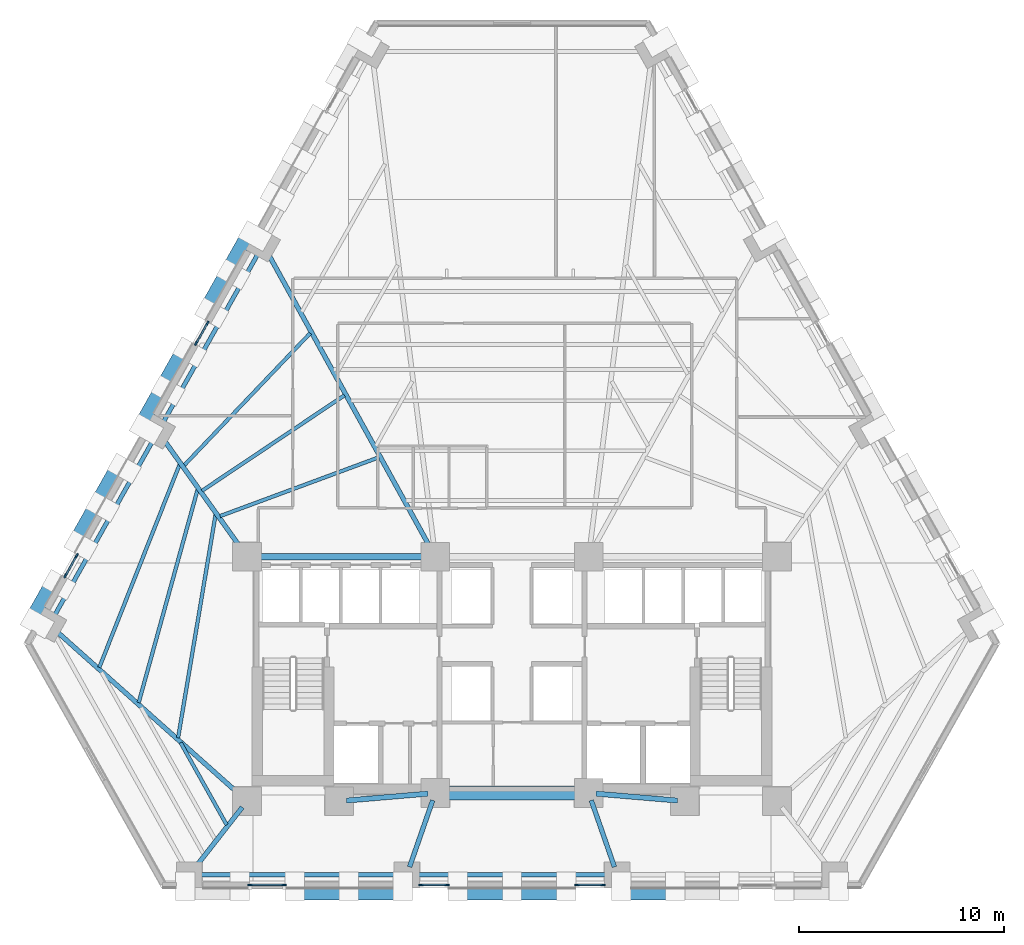
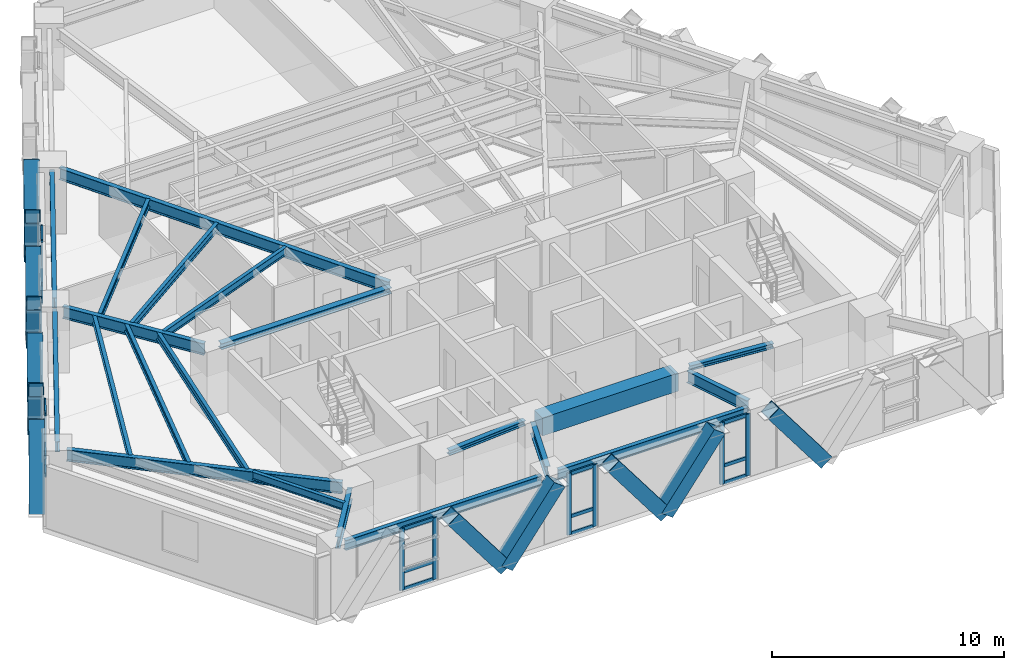
# One storey, part 2 of 13: 37 members, 21 beams, 5 elements without a shape of their own.
"""IFC4 building model written with IfcOpenShell, lengths in metres."""

from ifc_helpers import new_model, si_unit, direction, frame, origin, origin_2d, place, context, subcontext, project, spatial, rectangle, hollow_rectangle, i_section, extrude, material, material_profile, profile_set, type_object, element, aggregate, save


model = new_model("IFC4")

# Units and contexts
model_context = context("Model", 3, precision=1e-05, world=origin(), true_north=direction((0.0, 1.0)))
body_context = subcontext(model_context, "Body", "Model", "MODEL_VIEW")
ifc_project = project(units=[si_unit("LENGTHUNIT", "METRE"), si_unit("AREAUNIT", "SQUARE_METRE"), si_unit("VOLUMEUNIT", "CUBIC_METRE"), si_unit("PLANEANGLEUNIT", "RADIAN"), si_unit("MASSUNIT", "GRAM", prefix="KILO")], contexts=[model_context])

# Site, building, storey
site_placement = place(None, origin())
site = spatial("IfcSite", under=ifc_project, at=site_placement, CompositionType="ELEMENT")
building_placement = place(site_placement, origin())
building = spatial("IfcBuilding", under=site, at=building_placement, Name="Quenlor Broadcast Tower", CompositionType="ELEMENT")
storey_placement = place(building_placement, frame((0.0, 0.0, 59.10009765625)))
storey = spatial("IfcBuildingStorey", under=building, at=storey_placement, Name="L15", CompositionType="ELEMENT", Elevation=59.10009765625)

# Curtain wall, members
ifc_material_1 = material(Name="Architectural Terracotta and Low-E Glazing", Category="masonry")
curtain_wall_type = type_object("IfcCurtainWallType", Name="Unitised Terracotta Curtain Wall System Z1", PredefinedType="NOTDEFINED", material=ifc_material_1)
curtain_wall_1_placement = place(storey_placement, origin())
curtain_wall_1 = element("IfcCurtainWall", 1, at=curtain_wall_1_placement, inside=storey, type_object=curtain_wall_type, Name="L15 Curtain Wall CW1 (L15-SC-G1)", PredefinedType="NOTDEFINED")
ifc_material_2 = material(Name="Aluminium 6063-T6", Category="aluminium")
ifc_material_profile_1 = material_profile(ifc_material_2, rectangle(XDim=0.080078125, YDim=0.219970703125, at=origin_2d()))
ifc_profile_set_1 = profile_set([ifc_material_profile_1], Name="Aluminium 6063-T6 MULL80x220")
member_type_1 = type_object("IfcMemberType", Name="CW1 Aluminium Mullion MULL_CW1", PredefinedType="MULLION", material=ifc_profile_set_1)
member_1_placement = place(storey_placement, frame((-11.146484375, -20.840087890625, 0.0), z_axis=(0.0, 0.0, 1.0), x_axis=(0.0, -1.0, 0.0)))
member_1 = element("IfcMember", 2, at=member_1_placement, type_object=member_type_1, Name="CW1 mullion 1", PredefinedType="MULLION", context=body_context, shape_type="SweptSolid", body=[
    extrude(rectangle(XDim=0.080078125, YDim=0.219970703125, at=origin_2d()), origin(), (0.0, 0.0, 1.0), 3.25),
])
member_2_placement = place(storey_placement, frame((-12.794921875, -20.840087890625, 0.0), z_axis=(0.0, 0.0, 1.0), x_axis=(0.0, -1.0, 0.0)))
member_2 = element("IfcMember", 3, at=member_2_placement, type_object=member_type_1, Name="CW1 mullion 2", PredefinedType="MULLION", context=body_context, shape_type="SweptSolid", body=[
    extrude(rectangle(XDim=0.080078125, YDim=0.219970703125, at=origin_2d()), origin(), (0.0, 0.0, 1.0), 3.25),
])

curtain_wall_2_placement = place(storey_placement, origin())
curtain_wall_2 = element("IfcCurtainWall", 4, at=curtain_wall_2_placement, inside=storey, type_object=curtain_wall_type, Name="L15 Curtain Wall CW1 (L15-S-G1)", PredefinedType="NOTDEFINED")
member_3_placement = place(storey_placement, frame((4.455810546875, -20.840087890625, 0.0), z_axis=(0.0, 0.0, 1.0), x_axis=(0.0, -1.0, 0.0)))
member_3 = element("IfcMember", 5, at=member_3_placement, type_object=member_type_1, Name="CW1 mullion 1", PredefinedType="MULLION", context=body_context, shape_type="SweptSolid", body=[
    extrude(rectangle(XDim=0.080078125, YDim=0.219970703125, at=origin_2d()), origin(), (0.0, 0.0, 1.0), 3.25),
])
member_4_placement = place(storey_placement, frame((3.166015625, -20.840087890625, 0.0), z_axis=(0.0, 0.0, 1.0), x_axis=(0.0, -1.0, 0.0)))
member_4 = element("IfcMember", 6, at=member_4_placement, type_object=member_type_1, Name="CW1 mullion 2", PredefinedType="MULLION", context=body_context, shape_type="SweptSolid", body=[
    extrude(rectangle(XDim=0.080078125, YDim=0.219970703125, at=origin_2d()), origin(), (0.0, 0.0, 1.0), 3.25),
])

curtain_wall_3_placement = place(storey_placement, origin())
curtain_wall_3 = element("IfcCurtainWall", 7, at=curtain_wall_3_placement, inside=storey, type_object=curtain_wall_type, Name="L15 Curtain Wall CW1 (L15-S-G2)", PredefinedType="NOTDEFINED")
member_5_placement = place(storey_placement, frame((-3.166015625, -20.840087890625, 0.0), z_axis=(0.0, 0.0, 1.0), x_axis=(0.0, -1.0, 0.0)))
member_5 = element("IfcMember", 8, at=member_5_placement, type_object=member_type_1, Name="CW1 mullion 1", PredefinedType="MULLION", context=body_context, shape_type="SweptSolid", body=[
    extrude(rectangle(XDim=0.080078125, YDim=0.219970703125, at=origin_2d()), origin(), (0.0, 0.0, 1.0), 3.25),
])
member_6_placement = place(storey_placement, frame((-4.455810546875, -20.840087890625, 0.0), z_axis=(0.0, 0.0, 1.0), x_axis=(0.0, -1.0, 0.0)))
member_6 = element("IfcMember", 9, at=member_6_placement, type_object=member_type_1, Name="CW1 mullion 2", PredefinedType="MULLION", context=body_context, shape_type="SweptSolid", body=[
    extrude(rectangle(XDim=0.080078125, YDim=0.219970703125, at=origin_2d()), origin(), (0.0, 0.0, 1.0), 3.25),
])

curtain_wall_4_placement = place(storey_placement, origin())
curtain_wall_4 = element("IfcCurtainWall", 10, at=curtain_wall_4_placement, inside=storey, type_object=curtain_wall_type, Name="L15 Curtain Wall CW1 (L15-NWA-G1)", PredefinedType="NOTDEFINED")
member_7_placement = place(storey_placement, frame((-21.830810546875, -5.73681640625, 0.0), z_axis=(0.0, 0.0, 1.0), x_axis=(-0.871566703483, 0.490276943553, 0.0)))
member_7 = element("IfcMember", 11, at=member_7_placement, type_object=member_type_1, Name="CW1 mullion 1", PredefinedType="MULLION", context=body_context, shape_type="SweptSolid", body=[
    extrude(rectangle(XDim=0.080078125, YDim=0.219970703125, at=origin_2d()), origin(), (0.0, 0.0, 1.0), 3.25),
])
member_8_placement = place(storey_placement, frame((-21.277099609375, -4.75244140625, 0.0), z_axis=(0.0, 0.0, 1.0), x_axis=(-0.871566703483, 0.490276943553, 0.0)))
member_8 = element("IfcMember", 12, at=member_8_placement, type_object=member_type_1, Name="CW1 mullion 2", PredefinedType="MULLION", context=body_context, shape_type="SweptSolid", body=[
    extrude(rectangle(XDim=0.080078125, YDim=0.219970703125, at=origin_2d()), origin(), (0.0, 0.0, 1.0), 3.25),
])

curtain_wall_5_placement = place(storey_placement, origin())
curtain_wall_5 = element("IfcCurtainWall", 13, at=curtain_wall_5_placement, inside=storey, type_object=curtain_wall_type, Name="L15 Curtain Wall CW1 (L15-NW-G1)", PredefinedType="NOTDEFINED")
member_9_placement = place(storey_placement, frame((-15.4375, 5.62939453125, 0.0), z_axis=(0.0, 0.0, 1.0), x_axis=(-0.871566703483, 0.490276943553, 0.0)))
member_9 = element("IfcMember", 14, at=member_9_placement, type_object=member_type_1, Name="CW1 mullion 1", PredefinedType="MULLION", context=body_context, shape_type="SweptSolid", body=[
    extrude(rectangle(XDim=0.080078125, YDim=0.219970703125, at=origin_2d()), origin(), (0.0, 0.0, 1.0), 3.25),
])
member_10_placement = place(storey_placement, frame((-14.8837890625, 6.61376953125, 0.0), z_axis=(0.0, 0.0, 1.0), x_axis=(-0.871566703483, 0.490276943553, 0.0)))
member_10 = element("IfcMember", 15, at=member_10_placement, type_object=member_type_1, Name="CW1 mullion 2", PredefinedType="MULLION", context=body_context, shape_type="SweptSolid", body=[
    extrude(rectangle(XDim=0.080078125, YDim=0.219970703125, at=origin_2d()), origin(), (0.0, 0.0, 1.0), 3.25),
])

# Member
ifc_material_3 = material(Name="Aluminium 6063-T6", Category="aluminium")
ifc_material_profile_2 = material_profile(ifc_material_3, rectangle(XDim=0.080078125, YDim=0.179931640625, at=origin_2d()))
ifc_profile_set_2 = profile_set([ifc_material_profile_2], Name="Aluminium 6063-T6 TRAN80x180")
member_type_2 = type_object("IfcMemberType", Name="CW1 Aluminium Transom TRAN_CW1", PredefinedType="USERDEFINED", material=ifc_profile_set_2)
member_11_placement = place(storey_placement, frame((-11.1865234375, -20.840087890625, 0.039794921875), z_axis=(-1.0, 0.0, 0.0), x_axis=(0.0, -1.0, 0.0)))
member_11 = element("IfcMember", 16, at=member_11_placement, type_object=member_type_2, Name="CW1 transom 1.1", ObjectType="TRANSOM", PredefinedType="USERDEFINED", context=body_context, shape_type="SweptSolid", body=[
    extrude(rectangle(XDim=0.080078125, YDim=0.179931640625, at=origin_2d()), origin(), (0.0, 0.0, 1.0), 1.568359375),
])

member_12_placement = place(storey_placement, frame((-11.1865234375, -20.840087890625, 0.949951171875), z_axis=(-1.0, 0.0, 0.0), x_axis=(0.0, -1.0, 0.0)))
member_12 = element("IfcMember", 17, at=member_12_placement, type_object=member_type_2, Name="CW1 transom 1.2", ObjectType="TRANSOM", PredefinedType="USERDEFINED", context=body_context, shape_type="SweptSolid", body=[
    extrude(rectangle(XDim=0.080078125, YDim=0.179931640625, at=origin_2d()), origin(), (0.0, 0.0, 1.0), 1.568359375),
])

member_13_placement = place(storey_placement, frame((-11.1865234375, -20.840087890625, 3.2099609375), z_axis=(-1.0, 0.0, 0.0), x_axis=(0.0, -1.0, 0.0)))
member_13 = element("IfcMember", 18, at=member_13_placement, type_object=member_type_2, Name="CW1 transom 1.3", ObjectType="TRANSOM", PredefinedType="USERDEFINED", context=body_context, shape_type="SweptSolid", body=[
    extrude(rectangle(XDim=0.080078125, YDim=0.179931640625, at=origin_2d()), origin(), (0.0, 0.0, 1.0), 1.568359375),
])

aggregate(curtain_wall_1, [member_1, member_2, member_11, member_12, member_13])

member_14_placement = place(storey_placement, frame((4.415771484375, -20.840087890625, 0.039794921875), z_axis=(-1.0, 0.0, 0.0), x_axis=(0.0, -1.0, 0.0)))
member_14 = element("IfcMember", 19, at=member_14_placement, type_object=member_type_2, Name="CW1 transom 1.1", ObjectType="TRANSOM", PredefinedType="USERDEFINED", context=body_context, shape_type="SweptSolid", body=[
    extrude(rectangle(XDim=0.080078125, YDim=0.179931640625, at=origin_2d()), origin(), (0.0, 0.0, 1.0), 1.209716796875),
])

member_15_placement = place(storey_placement, frame((4.415771484375, -20.840087890625, 0.949951171875), z_axis=(-1.0, 0.0, 0.0), x_axis=(0.0, -1.0, 0.0)))
member_15 = element("IfcMember", 20, at=member_15_placement, type_object=member_type_2, Name="CW1 transom 1.2", ObjectType="TRANSOM", PredefinedType="USERDEFINED", context=body_context, shape_type="SweptSolid", body=[
    extrude(rectangle(XDim=0.080078125, YDim=0.179931640625, at=origin_2d()), origin(), (0.0, 0.0, 1.0), 1.209716796875),
])

member_16_placement = place(storey_placement, frame((4.415771484375, -20.840087890625, 3.2099609375), z_axis=(-1.0, 0.0, 0.0), x_axis=(0.0, -1.0, 0.0)))
member_16 = element("IfcMember", 21, at=member_16_placement, type_object=member_type_2, Name="CW1 transom 1.3", ObjectType="TRANSOM", PredefinedType="USERDEFINED", context=body_context, shape_type="SweptSolid", body=[
    extrude(rectangle(XDim=0.080078125, YDim=0.179931640625, at=origin_2d()), origin(), (0.0, 0.0, 1.0), 1.209716796875),
])

aggregate(curtain_wall_2, [member_3, member_4, member_14, member_15, member_16])

member_17_placement = place(storey_placement, frame((-3.2060546875, -20.840087890625, 0.039794921875), z_axis=(-1.0, 0.0, 0.0), x_axis=(0.0, -1.0, 0.0)))
member_17 = element("IfcMember", 22, at=member_17_placement, type_object=member_type_2, Name="CW1 transom 1.1", ObjectType="TRANSOM", PredefinedType="USERDEFINED", context=body_context, shape_type="SweptSolid", body=[
    extrude(rectangle(XDim=0.080078125, YDim=0.179931640625, at=origin_2d()), origin(), (0.0, 0.0, 1.0), 1.209716796875),
])

member_18_placement = place(storey_placement, frame((-3.2060546875, -20.840087890625, 0.949951171875), z_axis=(-1.0, 0.0, 0.0), x_axis=(0.0, -1.0, 0.0)))
member_18 = element("IfcMember", 23, at=member_18_placement, type_object=member_type_2, Name="CW1 transom 1.2", ObjectType="TRANSOM", PredefinedType="USERDEFINED", context=body_context, shape_type="SweptSolid", body=[
    extrude(rectangle(XDim=0.080078125, YDim=0.179931640625, at=origin_2d()), origin(), (0.0, 0.0, 1.0), 1.209716796875),
])

member_19_placement = place(storey_placement, frame((-3.2060546875, -20.840087890625, 3.2099609375), z_axis=(-1.0, 0.0, 0.0), x_axis=(0.0, -1.0, 0.0)))
member_19 = element("IfcMember", 24, at=member_19_placement, type_object=member_type_2, Name="CW1 transom 1.3", ObjectType="TRANSOM", PredefinedType="USERDEFINED", context=body_context, shape_type="SweptSolid", body=[
    extrude(rectangle(XDim=0.080078125, YDim=0.179931640625, at=origin_2d()), origin(), (0.0, 0.0, 1.0), 1.209716796875),
])

aggregate(curtain_wall_3, [member_5, member_6, member_17, member_18, member_19])

member_20_placement = place(storey_placement, frame((-21.811279296875, -5.701904296875, 0.039794921875), z_axis=(0.490239146026, 0.87158796441, 0.0), x_axis=(-0.87158796441, 0.490239146026, 0.0)))
member_20 = element("IfcMember", 25, at=member_20_placement, type_object=member_type_2, Name="CW1 transom 1.1", ObjectType="TRANSOM", PredefinedType="USERDEFINED", context=body_context, shape_type="SweptSolid", body=[
    extrude(rectangle(XDim=0.080078125, YDim=0.179931640625, at=origin_2d()), origin(), (0.0, 0.0, 1.0), 1.04931640625),
])

member_21_placement = place(storey_placement, frame((-21.811279296875, -5.701904296875, 0.949951171875), z_axis=(0.490239146026, 0.87158796441, 0.0), x_axis=(-0.87158796441, 0.490239146026, 0.0)))
member_21 = element("IfcMember", 26, at=member_21_placement, type_object=member_type_2, Name="CW1 transom 1.2", ObjectType="TRANSOM", PredefinedType="USERDEFINED", context=body_context, shape_type="SweptSolid", body=[
    extrude(rectangle(XDim=0.080078125, YDim=0.179931640625, at=origin_2d()), origin(), (0.0, 0.0, 1.0), 1.04931640625),
])

member_22_placement = place(storey_placement, frame((-21.811279296875, -5.701904296875, 3.2099609375), z_axis=(0.490239146026, 0.87158796441, 0.0), x_axis=(-0.87158796441, 0.490239146026, 0.0)))
member_22 = element("IfcMember", 27, at=member_22_placement, type_object=member_type_2, Name="CW1 transom 1.3", ObjectType="TRANSOM", PredefinedType="USERDEFINED", context=body_context, shape_type="SweptSolid", body=[
    extrude(rectangle(XDim=0.080078125, YDim=0.179931640625, at=origin_2d()), origin(), (0.0, 0.0, 1.0), 1.04931640625),
])

aggregate(curtain_wall_4, [member_7, member_8, member_20, member_21, member_22])

member_23_placement = place(storey_placement, frame((-15.417724609375, 5.664306640625, 0.039794921875), z_axis=(0.490239146026, 0.87158796441, 0.0), x_axis=(-0.87158796441, 0.490239146026, 0.0)))
member_23 = element("IfcMember", 28, at=member_23_placement, type_object=member_type_2, Name="CW1 transom 1.1", ObjectType="TRANSOM", PredefinedType="USERDEFINED", context=body_context, shape_type="SweptSolid", body=[
    extrude(rectangle(XDim=0.080078125, YDim=0.179931640625, at=origin_2d()), origin(), (0.0, 0.0, 1.0), 1.04931640625),
])

member_24_placement = place(storey_placement, frame((-15.417724609375, 5.664306640625, 0.949951171875), z_axis=(0.490239146026, 0.87158796441, 0.0), x_axis=(-0.87158796441, 0.490239146026, 0.0)))
member_24 = element("IfcMember", 29, at=member_24_placement, type_object=member_type_2, Name="CW1 transom 1.2", ObjectType="TRANSOM", PredefinedType="USERDEFINED", context=body_context, shape_type="SweptSolid", body=[
    extrude(rectangle(XDim=0.080078125, YDim=0.179931640625, at=origin_2d()), origin(), (0.0, 0.0, 1.0), 1.04931640625),
])

member_25_placement = place(storey_placement, frame((-15.417724609375, 5.664306640625, 3.2099609375), z_axis=(0.490239146026, 0.87158796441, 0.0), x_axis=(-0.87158796441, 0.490239146026, 0.0)))
member_25 = element("IfcMember", 30, at=member_25_placement, type_object=member_type_2, Name="CW1 transom 1.3", ObjectType="TRANSOM", PredefinedType="USERDEFINED", context=body_context, shape_type="SweptSolid", body=[
    extrude(rectangle(XDim=0.080078125, YDim=0.179931640625, at=origin_2d()), origin(), (0.0, 0.0, 1.0), 1.04931640625),
])

aggregate(curtain_wall_5, [member_9, member_10, member_23, member_24, member_25])

# Beams
ifc_material_4 = material(Name="Concrete C50/60", Category="concrete")
ifc_material_profile_3 = material_profile(ifc_material_4, rectangle(XDim=0.699951171875, YDim=0.949951171875, at=origin_2d()))
ifc_profile_set_3 = profile_set([ifc_material_profile_3], Name="Concrete C50/60 RCB700x950")
beam_type_1 = type_object("IfcBeamType", Name="Core Coupling Beam Concrete C50/60 700x950", PredefinedType="BEAM", material=ifc_profile_set_3)
beam_1_placement = place(storey_placement, frame((-3.389892578125, -16.35009765625, 2.77490234375), z_axis=(1.0, 0.0, 0.0), x_axis=(0.0, 1.0, 0.0)))
element("IfcBeam", 31, at=beam_1_placement, inside=storey, type_object=beam_type_1, Name="L15 Core Coupling Beam 6", PredefinedType="BEAM", context=body_context, shape_type="SweptSolid", body=[
    extrude(rectangle(XDim=0.699951171875, YDim=0.949951171875, at=origin_2d()), origin(), (0.0, 0.0, 1.0), 6.77978515625),
])
ifc_material_5 = material(Name="Steel S355", Category="steel")
ifc_material_profile_4 = material_profile(ifc_material_5, i_section(OverallWidth=0.25390625, OverallDepth=0.25390625, WebThickness=0.008544921875, FlangeThickness=0.01416015625, FilletRadius=0.013916015625, at=origin_2d()))
ifc_profile_set_4 = profile_set([ifc_material_profile_4], Name="Steel S355 250UC72.9")
beam_type_2 = type_object("IfcBeamType", Name="Core Opening Lintel Beam Steel S355 250UC72.9", PredefinedType="LINTEL", material=ifc_profile_set_4)
for number, where, z_axis, x_axis, name in (
    (32, (-8.09130859375, -16.719482421875, 3.123046875), (0.996399763903, 0.084779186679, 0.0), (-0.084779186679, 0.996399763903, 0.0), "L15 Core Opening Lintel Beam 4"),
    (33, (4.108642578125, -16.380615234375, 3.123046875), (0.996399763903, -0.084779186679, 0.0), (0.084779186679, 0.996399763903, 0.0), "L15 Core Opening Lintel Beam 5"),
):
    element("IfcBeam", number, at=place(storey_placement, frame(where, z_axis=z_axis, x_axis=x_axis)), inside=storey, type_object=beam_type_2, Name=name, PredefinedType="LINTEL", context=body_context, shape_type="SweptSolid", body=[
        extrude(i_section(OverallWidth=0.25390625, OverallDepth=0.25390625, WebThickness=0.008544921875, FlangeThickness=0.01416015625, FilletRadius=0.013916015625, at=origin_2d()), origin(), (0.0, 0.0, 1.0), 3.9970703125),
    ])
ifc_material_6 = material(Name="Steel S355", Category="steel")
ifc_material_profile_5 = material_profile(ifc_material_6, i_section(OverallWidth=0.306884765625, OverallDepth=0.314697265625, WebThickness=0.011962890625, FlangeThickness=0.018798828125, FilletRadius=0.0166015625, at=origin_2d()))
ifc_profile_set_5 = profile_set([ifc_material_profile_5], Name="Steel S355 310UC118")
beam_type_3 = type_object("IfcBeamType", Name="Core Tie Beam Steel S355 310UC118", PredefinedType="BEAM", material=ifc_profile_set_5)
beam_2_placement = place(storey_placement, frame((-12.590087890625, -4.800048828125, 3.092529296875), z_axis=(1.0, 0.0, 0.0), x_axis=(0.0, 1.0, 0.0)))
element("IfcBeam", 34, at=beam_2_placement, inside=storey, type_object=beam_type_3, Name="L15 Core Tie Beam 1", PredefinedType="BEAM", context=body_context, shape_type="SweptSolid", body=[
    extrude(i_section(OverallWidth=0.306884765625, OverallDepth=0.314697265625, WebThickness=0.011962890625, FlangeThickness=0.018798828125, FilletRadius=0.0166015625, at=origin_2d()), origin(), (0.0, 0.0, 1.0), 8.47998046875),
])

# Members
ifc_material_7 = material(Name="Steel S355", Category="steel")
ifc_material_profile_6 = material_profile(ifc_material_7, hollow_rectangle(XDim=0.679931640625, YDim=0.679931640625, WallThickness=0.034912109375, at=origin_2d()))
ifc_profile_set_6 = profile_set([ifc_material_profile_6], Name="Steel S355 RHS680x680x35")
member_type_3 = type_object("IfcMemberType", Name="Perimeter Diagonal Lattice Brace Z1 Steel S355 RHS680x35", PredefinedType="BRACE", material=ifc_profile_set_6)
for number, where, z_axis, x_axis, name in (
    (35, (7.964599609375, -21.235107421875, -0.1201171875), (-0.60049964856, 0.0, 0.799625019668), (0.0, -1.0, 0.0), "L15 Perimeter Diamond Lattice S-C2S"),
    (36, (0.01611328125, -21.235107421875, -0.1201171875), (0.600463982679, 0.0, 0.799651802665), (0.0, 1.0, 0.0), "L15 Perimeter Diamond Lattice S-C2B"),
    (37, (-0.01611328125, -21.235107421875, -0.1201171875), (-0.600463982679, 0.0, 0.799651802665), (0.0, -1.0, 0.0), "L15 Perimeter Diamond Lattice S-C3S"),
    (38, (-7.964599609375, -21.235107421875, -0.1201171875), (0.60049964856, 0.0, 0.799625019668), (0.0, 1.0, 0.0), "L15 Perimeter Diamond Lattice S-C3B"),
    (39, (-7.99658203125, -21.235107421875, -0.1201171875), (-0.600463982679, 0.0, 0.799651802665), (0.0, -1.0, 0.0), "L15 Perimeter Diamond Lattice S-C4S"),
):
    element("IfcMember", number, at=place(storey_placement, frame(where, z_axis=z_axis, x_axis=x_axis)), inside=storey, type_object=member_type_3, Name=name, PredefinedType="BRACE", context=body_context, shape_type="SweptSolid", body=[
        extrude(hollow_rectangle(XDim=0.679931640625, YDim=0.679931640625, WallThickness=0.034912109375, at=origin_2d()), origin(), (0.0, 0.0, 1.0), 4.376953125),
    ])
member_26_placement = place(storey_placement, frame((-23.490234375, -7.88134765625, -0.1201171875), z_axis=(0.256368393635, 0.455838699906, 0.852341672343), x_axis=(-0.871608931644, 0.490201866865, 0.0)))
element("IfcMember", 40, at=member_26_placement, inside=storey, type_object=member_type_3, Name="L15 Perimeter Diamond Lattice NW-C1S", PredefinedType="BRACE", context=body_context, shape_type="SweptSolid", body=[
    extrude(hollow_rectangle(XDim=0.679931640625, YDim=0.679931640625, WallThickness=0.034912109375, at=origin_2d()), origin(), (0.0, 0.0, 1.0), 4.1064453125),
])
for number, where, z_axis, x_axis, name in (
    (41, (-20.306396484375, -2.220947265625, -0.1201171875), (-0.256375341489, -0.45579159737, 0.852364771705), (0.871581609758, -0.490250443683, 0.0), "L15 Perimeter Diamond Lattice NW-C1B"),
    (42, (-20.29345703125, -2.197998046875, -0.1201171875), (0.256375341489, 0.45579159737, 0.852364771705), (-0.871581609758, 0.490250443683, 0.0), "L15 Perimeter Diamond Lattice NW-C2S"),
    (43, (-17.109619140625, 3.46240234375, -0.1201171875), (-0.256375341489, -0.45579159737, 0.852364771705), (0.871581609758, -0.490250443683, 0.0), "L15 Perimeter Diamond Lattice NW-C2B"),
    (44, (-17.0966796875, 3.485107421875, -0.1201171875), (0.256375341489, 0.45579159737, 0.852364771705), (-0.871581609758, 0.490250443683, 0.0), "L15 Perimeter Diamond Lattice NW-C3S"),
):
    element("IfcMember", number, at=place(storey_placement, frame(where, z_axis=z_axis, x_axis=x_axis)), inside=storey, type_object=member_type_3, Name=name, PredefinedType="BRACE", context=body_context, shape_type="SweptSolid", body=[
        extrude(hollow_rectangle(XDim=0.679931640625, YDim=0.679931640625, WallThickness=0.034912109375, at=origin_2d()), origin(), (0.0, 0.0, 1.0), 4.106201171875),
    ])
member_27_placement = place(storey_placement, frame((-13.912841796875, 9.1455078125, -0.1201171875), z_axis=(-0.256368393635, -0.455838699906, 0.852341672343), x_axis=(0.871608931644, -0.490201866865, 0.0)))
element("IfcMember", 45, at=member_27_placement, inside=storey, type_object=member_type_3, Name="L15 Perimeter Diamond Lattice NW-C3B", PredefinedType="BRACE", context=body_context, shape_type="SweptSolid", body=[
    extrude(hollow_rectangle(XDim=0.679931640625, YDim=0.679931640625, WallThickness=0.034912109375, at=origin_2d()), origin(), (0.0, 0.0, 1.0), 4.1064453125),
])
member_28_placement = place(storey_placement, frame((-13.89990234375, 9.168212890625, -0.1201171875), z_axis=(0.256375341489, 0.45579159737, 0.852364771705), x_axis=(-0.871581609758, 0.490250443683, 0.0)))
element("IfcMember", 46, at=member_28_placement, inside=storey, type_object=member_type_3, Name="L15 Perimeter Diamond Lattice NW-C4S", PredefinedType="BRACE", context=body_context, shape_type="SweptSolid", body=[
    extrude(hollow_rectangle(XDim=0.679931640625, YDim=0.679931640625, WallThickness=0.034912109375, at=origin_2d()), origin(), (0.0, 0.0, 1.0), 4.106201171875),
])

# Beams
ifc_material_8 = material(Name="Steel S355", Category="steel")
ifc_material_profile_7 = material_profile(ifc_material_8, i_section(OverallWidth=0.208984375, OverallDepth=0.532958984375, WebThickness=0.01025390625, FlangeThickness=0.015625, FilletRadius=0.013916015625, at=origin_2d()))
ifc_profile_set_7 = profile_set([ifc_material_profile_7], Name="Steel S355 530UB92.4")
beam_type_4 = type_object("IfcBeamType", Name="Perimeter Spandrel Beam Z1 Steel S355 530UB92.4", PredefinedType="SPANDREL", material=ifc_profile_set_7)
beam_3_placement = place(storey_placement, frame((-15.35498046875, -20.35009765625, 2.9833984375), z_axis=(1.0, 0.0, 0.0), x_axis=(0.0, 1.0, 0.0)))
element("IfcBeam", 47, at=beam_3_placement, inside=storey, type_object=beam_type_4, Name="L15 Spandrel Beam S1-S2", PredefinedType="SPANDREL", context=body_context, shape_type="SweptSolid", body=[
    extrude(i_section(OverallWidth=0.208984375, OverallDepth=0.532958984375, WebThickness=0.01025390625, FlangeThickness=0.015625, FilletRadius=0.013916015625, at=origin_2d()), origin(), (0.0, 0.0, 1.0), 9.80419921875),
])
beam_4_placement = place(storey_placement, frame((-4.730712890625, -20.35009765625, 2.9833984375), z_axis=(1.0, 0.0, 0.0), x_axis=(0.0, 1.0, 0.0)))
element("IfcBeam", 48, at=beam_4_placement, inside=storey, type_object=beam_type_4, Name="L15 Spandrel Beam S2-S3", PredefinedType="SPANDREL", context=body_context, shape_type="SweptSolid", body=[
    extrude(i_section(OverallWidth=0.208984375, OverallDepth=0.532958984375, WebThickness=0.01025390625, FlangeThickness=0.015625, FilletRadius=0.013916015625, at=origin_2d()), origin(), (0.0, 0.0, 1.0), 9.46142578125),
])
beam_5_placement = place(storey_placement, frame((-12.364013671875, 10.093505859375, 2.9833984375), z_axis=(-0.490257642051, -0.871577560755, 0.0), x_axis=(0.871577560755, -0.490257642051, 0.0)))
element("IfcBeam", 49, at=beam_5_placement, inside=storey, type_object=beam_type_4, Name="L15 Spandrel Beam NW2-NW3", PredefinedType="SPANDREL", context=body_context, shape_type="SweptSolid", body=[
    extrude(i_section(OverallWidth=0.208984375, OverallDepth=0.532958984375, WebThickness=0.01025390625, FlangeThickness=0.015625, FilletRadius=0.013916015625, at=origin_2d()), origin(), (0.0, 0.0, 1.0), 9.665771484375),
])
beam_6_placement = place(storey_placement, frame((-17.5048828125, 0.954345703125, 2.9833984375), z_axis=(-0.490257767622, -0.871577490121, 0.0), x_axis=(0.871577490121, -0.490257767622, 0.0)))
element("IfcBeam", 50, at=beam_6_placement, inside=storey, type_object=beam_type_4, Name="L15 Spandrel Beam NW3-NW4", PredefinedType="SPANDREL", context=body_context, shape_type="SweptSolid", body=[
    extrude(i_section(OverallWidth=0.208984375, OverallDepth=0.532958984375, WebThickness=0.01025390625, FlangeThickness=0.015625, FilletRadius=0.013916015625, at=origin_2d()), origin(), (0.0, 0.0, 1.0), 10.015380859375),
])
ifc_material_9 = material(Name="Steel S355", Category="steel")
ifc_material_profile_8 = material_profile(ifc_material_9, i_section(OverallWidth=0.177978515625, OverallDepth=0.406494140625, WebThickness=0.0078125, FlangeThickness=0.0126953125, FilletRadius=0.011474609375, at=origin_2d()))
ifc_profile_set_8 = profile_set([ifc_material_profile_8], Name="Steel S355 410UB59.7")
beam_type_5 = type_object("IfcBeamType", Name="Tower Composite Joist Z1 Steel S355 410UB59.7", PredefinedType="JOIST", material=ifc_profile_set_8)
beam_7_placement = place(storey_placement, frame((-14.268310546875, -2.81640625, 3.046630859375), z_axis=(0.937824633945, 0.347109429383, 0.0), x_axis=(-0.347109429383, 0.937824633945, 0.0)))
element("IfcBeam", 51, at=beam_7_placement, inside=storey, type_object=beam_type_5, Name="L15 Secondary Composite Joist 7", PredefinedType="JOIST", context=body_context, shape_type="SweptSolid", body=[
    extrude(i_section(OverallWidth=0.177978515625, OverallDepth=0.406494140625, WebThickness=0.0078125, FlangeThickness=0.0126953125, FilletRadius=0.011474609375, at=origin_2d()), origin(), (0.0, 0.0, 1.0), 8.26513671875),
])
beam_8_placement = place(storey_placement, frame((-15.147705078125, -1.577392578125, 3.046630859375), z_axis=(0.830625844363, 0.556830949819, 0.0), x_axis=(-0.556830949819, 0.830625844363, 0.0)))
element("IfcBeam", 52, at=beam_8_placement, inside=storey, type_object=beam_type_5, Name="L15 Secondary Composite Joist 8", PredefinedType="JOIST", context=body_context, shape_type="SweptSolid", body=[
    extrude(i_section(OverallWidth=0.177978515625, OverallDepth=0.406494140625, WebThickness=0.0078125, FlangeThickness=0.0126953125, FilletRadius=0.011474609375, at=origin_2d()), origin(), (0.0, 0.0, 1.0), 8.374755859375),
])
beam_9_placement = place(storey_placement, frame((-16.029541015625, -0.341796875, 3.046630859375), z_axis=(0.690241086162, 0.723579465556, 0.0), x_axis=(-0.723579465556, 0.690241086162, 0.0)))
element("IfcBeam", 53, at=beam_9_placement, inside=storey, type_object=beam_type_5, Name="L15 Secondary Composite Joist 9", PredefinedType="JOIST", context=body_context, shape_type="SweptSolid", body=[
    extrude(i_section(OverallWidth=0.177978515625, OverallDepth=0.406494140625, WebThickness=0.0078125, FlangeThickness=0.0126953125, FilletRadius=0.011474609375, at=origin_2d()), origin(), (0.0, 0.0, 1.0), 8.93408203125),
])
beam_10_placement = place(storey_placement, frame((-16.31982421875, -13.65478515625, 3.046630859375), z_axis=(0.16559360599, 0.986194077074, 0.0), x_axis=(-0.986194077074, 0.16559360599, 0.0)))
element("IfcBeam", 54, at=beam_10_placement, inside=storey, type_object=beam_type_5, Name="L15 Secondary Composite Joist 13", PredefinedType="JOIST", context=body_context, shape_type="SweptSolid", body=[
    extrude(i_section(OverallWidth=0.177978515625, OverallDepth=0.406494140625, WebThickness=0.0078125, FlangeThickness=0.0126953125, FilletRadius=0.011474609375, at=origin_2d()), origin(), (0.0, 0.0, 1.0), 11.06787109375),
])
beam_11_placement = place(storey_placement, frame((-18.2451171875, -11.93310546875, 3.046630859375), z_axis=(0.266390054368, 0.963865311615, 0.0), x_axis=(-0.963865311615, 0.266390054368, 0.0)))
element("IfcBeam", 55, at=beam_11_placement, inside=storey, type_object=beam_type_5, Name="L15 Secondary Composite Joist 14", PredefinedType="JOIST", context=body_context, shape_type="SweptSolid", body=[
    extrude(i_section(OverallWidth=0.177978515625, OverallDepth=0.406494140625, WebThickness=0.0078125, FlangeThickness=0.0126953125, FilletRadius=0.011474609375, at=origin_2d()), origin(), (0.0, 0.0, 1.0), 10.80810546875),
])
beam_12_placement = place(storey_placement, frame((-20.170166015625, -10.212158203125, 3.046630859375), z_axis=(0.367884833597, 0.929871361646, 0.0), x_axis=(-0.929871361646, 0.367884833597, 0.0)))
element("IfcBeam", 56, at=beam_12_placement, inside=storey, type_object=beam_type_5, Name="L15 Secondary Composite Joist 15", PredefinedType="JOIST", context=body_context, shape_type="SweptSolid", body=[
    extrude(i_section(OverallWidth=0.177978515625, OverallDepth=0.406494140625, WebThickness=0.0078125, FlangeThickness=0.0126953125, FilletRadius=0.011474609375, at=origin_2d()), origin(), (0.0, 0.0, 1.0), 10.669921875),
])
beam_13_placement = place(storey_placement, frame((-13.9462890625, -17.904296875, 3.046630859375), z_axis=(-0.489062021968, 0.872249011848, 0.0), x_axis=(-0.872249011848, -0.489062021968, 0.0)))
element("IfcBeam", 57, at=beam_13_placement, inside=storey, type_object=beam_type_5, Name="L15 Secondary Composite Joist 19", PredefinedType="JOIST", context=body_context, shape_type="SweptSolid", body=[
    extrude(i_section(OverallWidth=0.177978515625, OverallDepth=0.406494140625, WebThickness=0.0078125, FlangeThickness=0.0126953125, FilletRadius=0.011474609375, at=origin_2d()), origin(), (0.0, 0.0, 1.0), 4.6025390625),
])
ifc_material_10 = material(Name="Steel S355", Category="steel")
ifc_material_profile_9 = material_profile(ifc_material_10, i_section(OverallWidth=0.22900390625, OverallDepth=0.611572265625, WebThickness=0.011962890625, FlangeThickness=0.01953125, FilletRadius=0.013916015625, at=origin_2d()))
ifc_profile_set_9 = profile_set([ifc_material_profile_9], Name="Steel S355 610UB125")
beam_type_6 = type_object("IfcBeamType", Name="Tower Primary Floor Beam Z1 Steel S355 610UB125", PredefinedType="BEAM", material=ifc_profile_set_9)
beam_14_placement = place(storey_placement, frame((-15.512451171875, -20.027099609375, 2.944091796875), z_axis=(0.615968610193, 0.78777069713, 0.0), x_axis=(-0.78777069713, 0.615968610193, 0.0)))
element("IfcBeam", 58, at=beam_14_placement, inside=storey, type_object=beam_type_6, Name="L15 Primary Radial Beam S1", PredefinedType="BEAM", context=body_context, shape_type="SweptSolid", body=[
    extrude(i_section(OverallWidth=0.22900390625, OverallDepth=0.611572265625, WebThickness=0.011962890625, FlangeThickness=0.01953125, FilletRadius=0.013916015625, at=origin_2d()), origin(), (0.0, 0.0, 1.0), 3.780029296875),
])
for number, where, z_axis, x_axis, name in (
    (59, (-5.006103515625, -19.962646484375, 2.944091796875), (0.328427161327, 0.944529300606, 0.0), (-0.944529300606, 0.328427161327, 0.0), "L15 Primary Radial Beam S2"),
    (60, (5.006103515625, -19.962646484375, 2.944091796875), (-0.328427161327, 0.944529300606, 0.0), (-0.944529300606, -0.328427161327, 0.0), "L15 Primary Radial Beam S3"),
):
    element("IfcBeam", number, at=place(storey_placement, frame(where, z_axis=z_axis, x_axis=x_axis)), inside=storey, type_object=beam_type_6, Name=name, PredefinedType="BEAM", context=body_context, shape_type="SweptSolid", body=[
        extrude(i_section(OverallWidth=0.22900390625, OverallDepth=0.611572265625, WebThickness=0.011962890625, FlangeThickness=0.01953125, FilletRadius=0.013916015625, at=origin_2d()), origin(), (0.0, 0.0, 1.0), 3.44482421875),
    ])
beam_15_placement = place(storey_placement, frame((-11.965087890625, 10.091796875, 2.944091796875), z_axis=(0.483026493693, -0.875605736842, 0.0), x_axis=(0.875605736842, 0.483026493693, 0.0)))
element("IfcBeam", 61, at=beam_15_placement, inside=storey, type_object=beam_type_6, Name="L15 Primary Radial Beam NW2", PredefinedType="BEAM", context=body_context, shape_type="SweptSolid", body=[
    extrude(i_section(OverallWidth=0.22900390625, OverallDepth=0.611572265625, WebThickness=0.011962890625, FlangeThickness=0.01953125, FilletRadius=0.013916015625, at=origin_2d()), origin(), (0.0, 0.0, 1.0), 16.62744140625),
])
beam_16_placement = place(storey_placement, frame((-17.06591796875, 0.977783203125, 2.944091796875), z_axis=(0.580212680853, -0.814465005373, 0.0), x_axis=(0.814465005373, 0.580212680853, 0.0)))
element("IfcBeam", 62, at=beam_16_placement, inside=storey, type_object=beam_type_6, Name="L15 Primary Radial Beam NW3", PredefinedType="BEAM", context=body_context, shape_type="SweptSolid", body=[
    extrude(i_section(OverallWidth=0.22900390625, OverallDepth=0.611572265625, WebThickness=0.011962890625, FlangeThickness=0.01953125, FilletRadius=0.013916015625, at=origin_2d()), origin(), (0.0, 0.0, 1.0), 6.7138671875),
])
beam_17_placement = place(storey_placement, frame((-22.31005859375, -8.40478515625, 2.944091796875), z_axis=(0.746413754585, -0.665482161268, 0.0), x_axis=(0.665482161268, 0.746413754585, 0.0)))
element("IfcBeam", 63, at=beam_17_placement, inside=storey, type_object=beam_type_6, Name="L15 Primary Radial Beam NW4", PredefinedType="BEAM", context=body_context, shape_type="SweptSolid", body=[
    extrude(i_section(OverallWidth=0.22900390625, OverallDepth=0.611572265625, WebThickness=0.011962890625, FlangeThickness=0.01953125, FilletRadius=0.013916015625, at=origin_2d()), origin(), (0.0, 0.0, 1.0), 12.159912109375),
])

save(model, "model.ifc")
